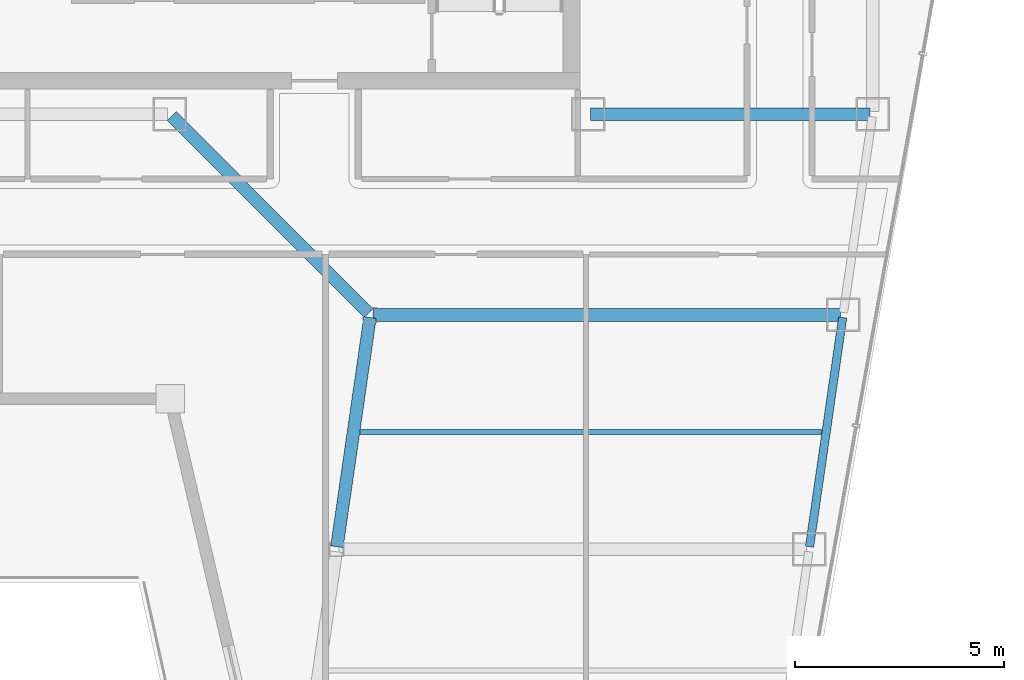
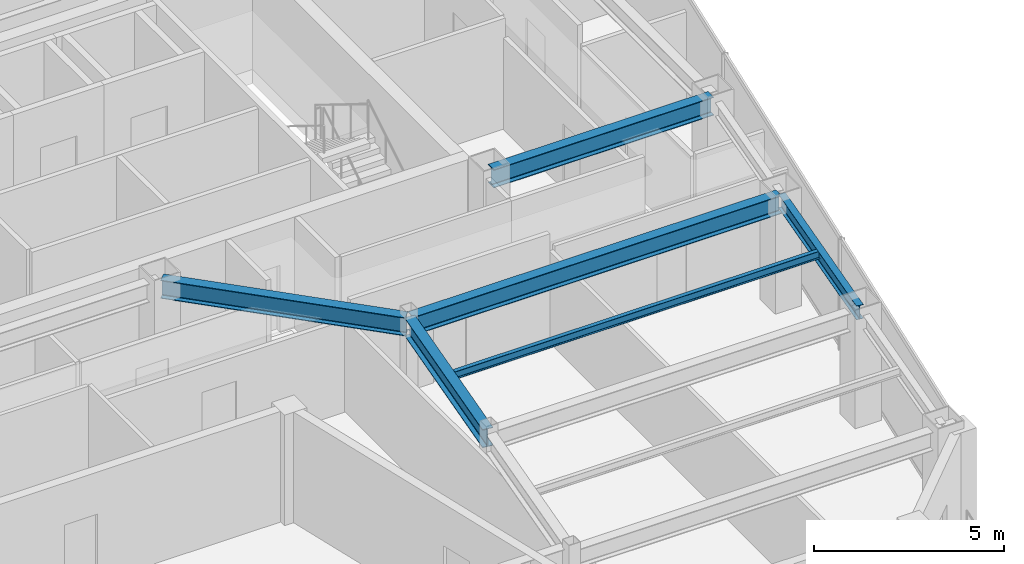
# One storey, part 10 of 28: 6 beams.
"""IFC4 building model written with IfcOpenShell, lengths in metres."""

from ifc_helpers import new_model, si_unit, direction, frame, origin, origin_2d, place, context, subcontext, project, spatial, i_section, extrude, material, material_profile, profile_set, type_object, element, save


model = new_model("IFC4")

# Units and contexts
model_context = context("Model", 3, precision=1e-05, world=origin(), true_north=direction((0.0, 1.0)))
body_context = subcontext(model_context, "Body", "Model", "MODEL_VIEW")
ifc_project = project(units=[si_unit("LENGTHUNIT", "METRE"), si_unit("AREAUNIT", "SQUARE_METRE"), si_unit("VOLUMEUNIT", "CUBIC_METRE"), si_unit("PLANEANGLEUNIT", "RADIAN"), si_unit("MASSUNIT", "GRAM", prefix="KILO")], contexts=[model_context])

# Site, building, storey
site_placement = place(None, origin())
site = spatial("IfcSite", under=ifc_project, at=site_placement, CompositionType="ELEMENT")
building_placement = place(site_placement, origin())
building = spatial("IfcBuilding", under=site, at=building_placement, Name="Saevonmaru Cultural Tower", CompositionType="ELEMENT")
storey_placement = place(building_placement, frame((0.0, 0.0, 253.39990234375)))
storey = spatial("IfcBuildingStorey", under=building, at=storey_placement, Name="L59", CompositionType="ELEMENT", Elevation=253.39990234375)

# Beams
ifc_material = material(Name="Steel SM355", Category="steel")
ifc_material_profile_1 = material_profile(ifc_material, i_section(OverallWidth=0.300048828125, OverallDepth=0.587890625, WebThickness=0.011962890625, FlangeThickness=0.02001953125, FilletRadius=0.02392578125, at=origin_2d()), Name="H-588x300x12x20")
ifc_profile_set_1 = profile_set([ifc_material_profile_1], Name="Steel SM355")
beam_type_1 = type_object("IfcBeamType", Name="BM-G-H588", PredefinedType="BEAM", material=ifc_profile_set_1)
beam_1_placement = place(storey_placement, frame((46.4599609375, 42.39990234375, 3.256103515625), z_axis=(1.0, 0.0, 0.0), x_axis=(0.0, 1.0, 0.0)))
element("IfcBeam", 1, at=beam_1_placement, inside=storey, type_object=beam_type_1, Name="L59 Core South Girder 5", PredefinedType="BEAM", context=body_context, shape_type="SweptSolid", body=[
    extrude(i_section(OverallWidth=0.300048828125, OverallDepth=0.587890625, WebThickness=0.011962890625, FlangeThickness=0.02001953125, FilletRadius=0.02392578125, at=origin_2d()), origin(), (0.0, 0.0, 1.0), 6.679931640625),
])
beam_2_placement = place(storey_placement, frame((40.3916015625, 32.059326171875, 3.256103515625), z_axis=(0.142964121327, 0.989727871697, 0.0), x_axis=(-0.989727871697, 0.142964121327, 0.0)))
element("IfcBeam", 2, at=beam_2_placement, inside=storey, type_object=beam_type_1, Name="L59 East Atrium Girder 2", PredefinedType="BEAM", context=body_context, shape_type="SweptSolid", body=[
    extrude(i_section(OverallWidth=0.300048828125, OverallDepth=0.587890625, WebThickness=0.011962890625, FlangeThickness=0.02001953125, FilletRadius=0.02392578125, at=origin_2d()), origin(), (0.0, 0.0, 1.0), 5.5380859375),
])
beam_3_placement = place(storey_placement, frame((41.149658203125, 37.642578125, 3.256103515625), z_axis=(-0.706538566564, 0.707674539572, 0.0), x_axis=(-0.707674539572, -0.706538566564, 0.0)))
element("IfcBeam", 3, at=beam_3_placement, inside=storey, type_object=beam_type_1, Name="L59 East Atrium Girder 3", PredefinedType="BEAM", context=body_context, shape_type="SweptSolid", body=[
    extrude(i_section(OverallWidth=0.300048828125, OverallDepth=0.587890625, WebThickness=0.011962890625, FlangeThickness=0.02001953125, FilletRadius=0.02392578125, at=origin_2d()), origin(), (0.0, 0.0, 1.0), 6.662353515625),
])
beam_4_placement = place(storey_placement, frame((41.251953125, 37.60009765625, 3.256103515625), z_axis=(1.0, 0.0, 0.0), x_axis=(0.0, 1.0, 0.0)))
element("IfcBeam", 4, at=beam_4_placement, inside=storey, type_object=beam_type_1, Name="L59 East Wing Transverse Girder 3", PredefinedType="BEAM", context=body_context, shape_type="SweptSolid", body=[
    extrude(i_section(OverallWidth=0.300048828125, OverallDepth=0.587890625, WebThickness=0.011962890625, FlangeThickness=0.02001953125, FilletRadius=0.02392578125, at=origin_2d()), origin(), (0.0, 0.0, 1.0), 11.179931640625),
])
ifc_material_profile_2 = material_profile(ifc_material, i_section(OverallWidth=0.125, OverallDepth=0.25, WebThickness=0.006103515625, FlangeThickness=0.009033203125, FilletRadius=0.008056640625, at=origin_2d()), Name="H-250x125x6x9")
ifc_profile_set_2 = profile_set([ifc_material_profile_2], Name="Steel SM355")
beam_type_2 = type_object("IfcBeamType", Name="BM-J-H250", PredefinedType="JOIST", material=ifc_profile_set_2)
beam_5_placement = place(storey_placement, frame((40.945556640625, 34.800048828125, 3.425048828125), z_axis=(1.0, 0.0, 0.0), x_axis=(0.0, 1.0, 0.0)))
element("IfcBeam", 5, at=beam_5_placement, inside=storey, type_object=beam_type_2, Name="L59 East Wing Floor Joist 2", PredefinedType="JOIST", context=body_context, shape_type="SweptSolid", body=[
    extrude(i_section(OverallWidth=0.125, OverallDepth=0.25, WebThickness=0.006103515625, FlangeThickness=0.009033203125, FilletRadius=0.008056640625, at=origin_2d()), origin(), (0.0, 0.0, 1.0), 11.08203125),
])
ifc_material_profile_3 = material_profile(ifc_material, i_section(OverallWidth=0.199951171875, OverallDepth=0.449951171875, WebThickness=0.009033203125, FlangeThickness=0.013916015625, FilletRadius=0.01806640625, at=origin_2d()), Name="H-450x200x9x14")
ifc_profile_set_3 = profile_set([ifc_material_profile_3], Name="Steel SM355")
beam_type_3 = type_object("IfcBeamType", Name="BM-SP-H450", PredefinedType="SPANDREL", material=ifc_profile_set_3)
beam_6_placement = place(storey_placement, frame((51.691650390625, 32.059326171875, 3.3251953125), z_axis=(0.142964121327, 0.989727871697, 0.0), x_axis=(-0.989727871697, 0.142964121327, 0.0)))
element("IfcBeam", 6, at=beam_6_placement, inside=storey, type_object=beam_type_3, Name="L59 East Splayed Spandrel 2", PredefinedType="SPANDREL", context=body_context, shape_type="SweptSolid", body=[
    extrude(i_section(OverallWidth=0.199951171875, OverallDepth=0.449951171875, WebThickness=0.009033203125, FlangeThickness=0.013916015625, FilletRadius=0.01806640625, at=origin_2d()), origin(), (0.0, 0.0, 1.0), 5.5380859375),
])

save(model, "model.ifc")
